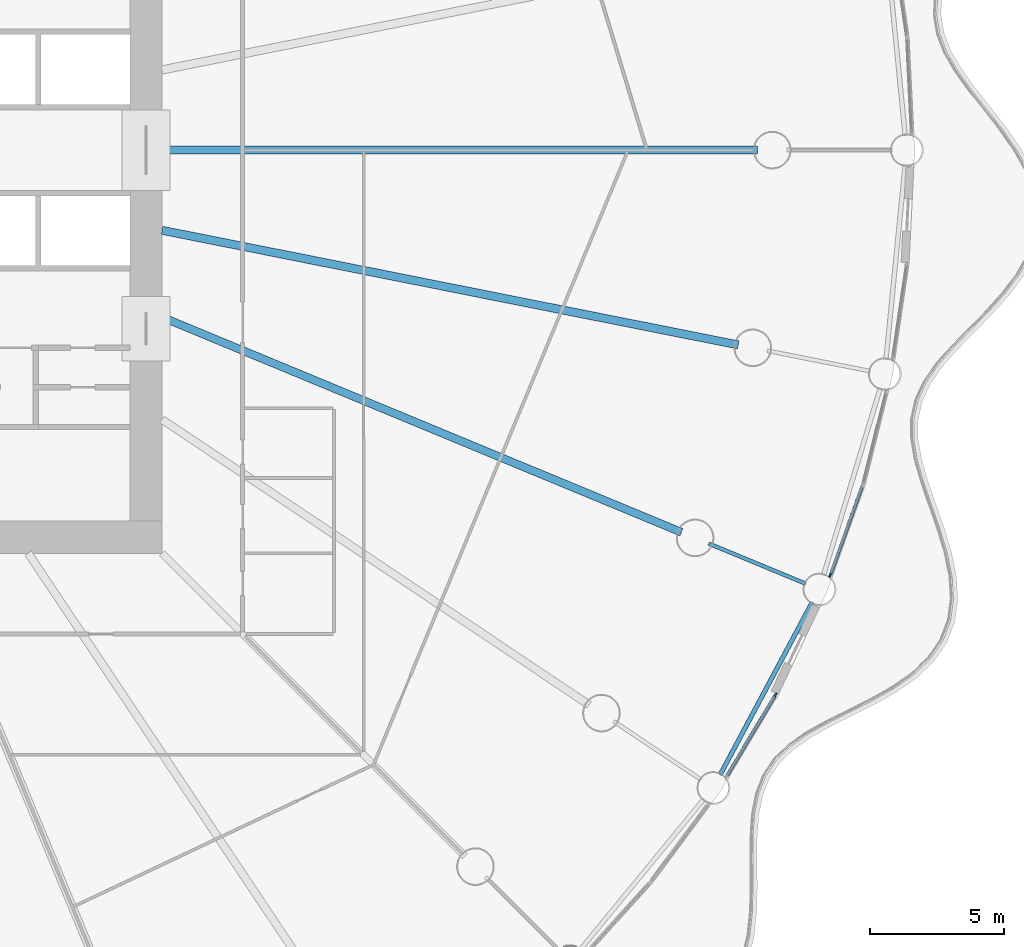
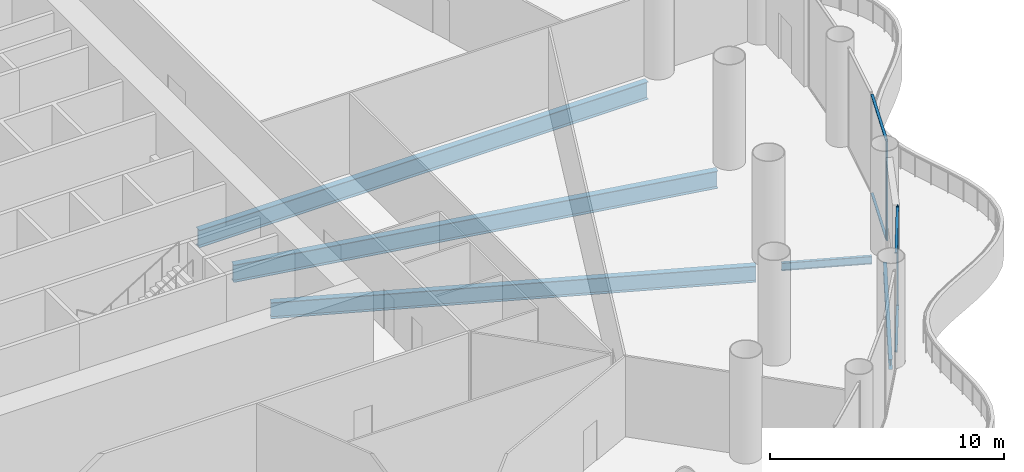
# One storey, part 12 of 37: 6 members, 5 beams, 2 elements without a shape of their own.
"""IFC4 building model written with IfcOpenShell, lengths in metres."""

from ifc_helpers import new_model, si_unit, direction, frame, origin, origin_2d, place, context, subcontext, project, spatial, rectangle, i_section, extrude, material, material_profile, profile_set, type_object, element, aggregate, save


model = new_model("IFC4")

# Units and contexts
model_context = context("Model", 3, precision=1e-05, world=origin(), true_north=direction((0.0, 1.0)))
body_context = subcontext(model_context, "Body", "Model", "MODEL_VIEW")
ifc_project = project(units=[si_unit("LENGTHUNIT", "METRE"), si_unit("AREAUNIT", "SQUARE_METRE"), si_unit("VOLUMEUNIT", "CUBIC_METRE"), si_unit("PLANEANGLEUNIT", "RADIAN"), si_unit("MASSUNIT", "GRAM", prefix="KILO")], contexts=[model_context])

# Site, building, storey
site_placement = place(None, origin())
site = spatial("IfcSite", under=ifc_project, at=site_placement, CompositionType="ELEMENT")
building_placement = place(site_placement, origin())
building = spatial("IfcBuilding", under=site, at=building_placement, Name="Corvane Civic Tower", CompositionType="ELEMENT")
storey_placement = place(building_placement, frame((0.0, 0.0, 11.5)))
storey = spatial("IfcBuildingStorey", under=building, at=storey_placement, Name="L02", CompositionType="ELEMENT", Elevation=11.5)

# Beams
ifc_material_1 = material(Name="Steel ASTM A992 Gr 50", Category="steel")
ifc_material_profile_1 = material_profile(ifc_material_1, i_section(OverallWidth=0.165771484375, OverallDepth=0.5283203125, WebThickness=0.009765625, FlangeThickness=0.013671875, at=origin_2d()), Name="W21X50")
ifc_profile_set_1 = profile_set([ifc_material_profile_1], Name="Steel ASTM A992 Gr 50")
beam_type_1 = type_object("IfcBeamType", Name="EDGE BEAM W21X50", PredefinedType="BEAM", material=ifc_profile_set_1)
beam_1_placement = place(storey_placement, frame((39.1904296875, -16.82568359375, -0.564208984375), z_axis=(-0.471412394598, -0.881912894916, 0.0), x_axis=(0.881912894916, -0.471412394598, 0.0)))
element("IfcBeam", 1, at=beam_1_placement, inside=storey, type_object=beam_type_1, Name="BM-L02-E11", PredefinedType="BEAM", context=body_context, shape_type="SweptSolid", body=[
    extrude(i_section(OverallWidth=0.165771484375, OverallDepth=0.5283203125, WebThickness=0.009765625, FlangeThickness=0.013671875, at=origin_2d()), origin(), (0.0, 0.0, 1.0), 7.270751953125),
])
ifc_material_2 = material(Name="Steel ASTM A992 Gr 50", Category="steel")
ifc_material_profile_2 = material_profile(ifc_material_2, i_section(OverallWidth=0.140380859375, OverallDepth=0.40380859375, WebThickness=0.007080078125, FlangeThickness=0.01123046875, at=origin_2d()), Name="W16X31")
ifc_profile_set_2 = profile_set([ifc_material_profile_2], Name="Steel ASTM A992 Gr 50")
beam_type_2 = type_object("IfcBeamType", Name="FLOOR GIRDER W16X31", PredefinedType="BEAM", material=ifc_profile_set_2)
beam_2_placement = place(storey_placement, frame((35.33837890625, -14.6376953125, -0.501953125), z_axis=(0.923878730261, -0.382685369162, 0.0), x_axis=(0.382685369162, 0.923878730261, 0.0)))
element("IfcBeam", 2, at=beam_2_placement, inside=storey, type_object=beam_type_2, Name="BM-L02-G11b", PredefinedType="BEAM", context=body_context, shape_type="SweptSolid", body=[
    extrude(i_section(OverallWidth=0.140380859375, OverallDepth=0.40380859375, WebThickness=0.007080078125, FlangeThickness=0.01123046875, at=origin_2d()), origin(), (0.0, 0.0, 1.0), 3.89990234375),
])
ifc_material_3 = material(Name="Steel ASTM A992 Gr 50", Category="steel")
ifc_material_profile_3 = material_profile(ifc_material_3, i_section(OverallWidth=0.2919921875, OverallDepth=0.845703125, WebThickness=0.015380859375, FlangeThickness=0.0244140625, at=origin_2d()), Name="W33X141")
ifc_profile_set_3 = profile_set([ifc_material_profile_3], Name="Steel ASTM A992 Gr 50")
beam_type_3 = type_object("IfcBeamType", Name="FLOOR GIRDER W33X141", PredefinedType="BEAM", material=ifc_profile_set_3)
beam_3_placement = place(storey_placement, frame((15.0, -6.213134765625, -0.722900390625), z_axis=(0.923875834355, -0.382692360381, 0.0), x_axis=(0.382692360381, 0.923875834355, 0.0)))
element("IfcBeam", 3, at=beam_3_placement, inside=storey, type_object=beam_type_3, Name="BM-L02-G11", PredefinedType="BEAM", context=body_context, shape_type="SweptSolid", body=[
    extrude(i_section(OverallWidth=0.2919921875, OverallDepth=0.845703125, WebThickness=0.015380859375, FlangeThickness=0.0244140625, at=origin_2d()), origin(), (0.0, 0.0, 1.0), 20.9140625),
])
ifc_material_4 = material(Name="Steel ASTM A992 Gr 50", Category="steel")
ifc_material_profile_4 = material_profile(ifc_material_4, i_section(OverallWidth=0.3046875, OverallDepth=0.911865234375, WebThickness=0.015869140625, FlangeThickness=0.02392578125, at=origin_2d()), Name="W36X150")
ifc_profile_set_4 = profile_set([ifc_material_profile_4], Name="Steel ASTM A992 Gr 50")
beam_type_4 = type_object("IfcBeamType", Name="FLOOR GIRDER W36X150", PredefinedType="BEAM", material=ifc_profile_set_4)
beam_4_placement = place(storey_placement, frame((15.0, 0.0, -0.755859375), z_axis=(1.0, 0.0, 0.0), x_axis=(0.0, 1.0, 0.0)))
element("IfcBeam", 4, at=beam_4_placement, inside=storey, type_object=beam_type_4, Name="BM-L02-G09", PredefinedType="BEAM", context=body_context, shape_type="SweptSolid", body=[
    extrude(i_section(OverallWidth=0.3046875, OverallDepth=0.911865234375, WebThickness=0.015869140625, FlangeThickness=0.02392578125, at=origin_2d()), origin(), (0.0, 0.0, 1.0), 22.14990234375),
])
beam_5_placement = place(storey_placement, frame((15.0, -2.983642578125, -0.755859375), z_axis=(0.980785499679, -0.195089219638, 0.0), x_axis=(0.195089219638, 0.980785499679, 0.0)))
element("IfcBeam", 5, at=beam_5_placement, inside=storey, type_object=beam_type_4, Name="BM-L02-G10", PredefinedType="BEAM", context=body_context, shape_type="SweptSolid", body=[
    extrude(i_section(OverallWidth=0.3046875, OverallDepth=0.911865234375, WebThickness=0.015869140625, FlangeThickness=0.02392578125, at=origin_2d()), origin(), (0.0, 0.0, 1.0), 21.856201171875),
])

# Curtain wall, member
ifc_material_5 = material(Name="Aluminium and glass", Category="aluminium")
curtain_wall_type = type_object("IfcCurtainWallType", Name="PODIUM-CW-P-RUN", PredefinedType="NOTDEFINED", material=ifc_material_5)
curtain_wall_1_placement = place(storey_placement, origin())
curtain_wall_1 = element("IfcCurtainWall", 6, at=curtain_wall_1_placement, inside=storey, type_object=curtain_wall_type, Name="PODI run L02-drum-10B", PredefinedType="NOTDEFINED")
ifc_material_6 = material(Name="Anodised aluminium bronze", Category="aluminium")
ifc_material_profile_5 = material_profile(ifc_material_6, rectangle(XDim=0.06005859375, YDim=0.159912109375, at=origin_2d()), Name="AL 60x160")
ifc_profile_set_5 = profile_set([ifc_material_profile_5], Name="Anodised aluminium bronze")
member_type_1 = type_object("IfcMemberType", Name="PODIUM-CWP-MULLION-60x160", PredefinedType="MULLION", material=ifc_profile_set_5)
member_1_placement = place(storey_placement, frame((39.861083984375, -15.81298828125, 0.0), z_axis=(0.0, 0.0, 1.0), x_axis=(0.941533802561, -0.336918534123, 0.0)))
member_1 = element("IfcMember", 7, at=member_1_placement, type_object=member_type_1, Name="CW-P mullion 2", PredefinedType="MULLION", context=body_context, shape_type="SweptSolid", body=[
    extrude(rectangle(XDim=0.06005859375, YDim=0.159912109375, at=origin_2d()), origin(), (0.0, 0.0, 1.0), 5.199951171875),
])

curtain_wall_2_placement = place(storey_placement, origin())
curtain_wall_2 = element("IfcCurtainWall", 8, at=curtain_wall_2_placement, inside=storey, type_object=curtain_wall_type, Name="PODI run L02-drum-11B", PredefinedType="NOTDEFINED")
member_2_placement = place(storey_placement, frame((37.819580078125, -20.2666015625, 0.0), z_axis=(0.0, 0.0, 1.0), x_axis=(0.857719609779, -0.514117759857, 0.0)))
member_2 = element("IfcMember", 9, at=member_2_placement, type_object=member_type_1, Name="CW-P mullion 1", PredefinedType="MULLION", context=body_context, shape_type="SweptSolid", body=[
    extrude(rectangle(XDim=0.06005859375, YDim=0.159912109375, at=origin_2d()), origin(), (0.0, 0.0, 1.0), 5.199951171875),
])

# Member
ifc_material_7 = material(Name="Anodised aluminium bronze", Category="aluminium")
ifc_material_profile_6 = material_profile(ifc_material_7, rectangle(XDim=0.1201171875, YDim=0.06005859375, at=origin_2d()), Name="AL 120x60")
ifc_profile_set_6 = profile_set([ifc_material_profile_6], Name="Anodised aluminium bronze")
member_type_2 = type_object("IfcMemberType", Name="PODIUM-CWP-TRANSOM-60x120", PredefinedType="USERDEFINED", material=ifc_profile_set_6)
member_3_placement = place(storey_placement, frame((41.036865234375, -12.527099609375, 0.030029296875), z_axis=(-0.336939787896, -0.941526196838, 0.0), x_axis=(0.941526196838, -0.336939787896, 0.0)))
member_3 = element("IfcMember", 10, at=member_3_placement, type_object=member_type_2, Name="CW-P transom 1.1", ObjectType="TRANSOM", PredefinedType="USERDEFINED", context=body_context, shape_type="SweptSolid", body=[
    extrude(rectangle(XDim=0.1201171875, YDim=0.06005859375, at=origin_2d()), origin(), (0.0, 0.0, 1.0), 3.4599609375),
])

member_4_placement = place(storey_placement, frame((41.036865234375, -12.527099609375, 5.169921875), z_axis=(-0.336939787896, -0.941526196838, 0.0), x_axis=(0.941526196838, -0.336939787896, 0.0)))
member_4 = element("IfcMember", 11, at=member_4_placement, type_object=member_type_2, Name="CW-P transom 1.2", ObjectType="TRANSOM", PredefinedType="USERDEFINED", context=body_context, shape_type="SweptSolid", body=[
    extrude(rectangle(XDim=0.1201171875, YDim=0.06005859375, at=origin_2d()), origin(), (0.0, 0.0, 1.0), 3.4599609375),
])

aggregate(curtain_wall_1, [member_1, member_3, member_4])

member_5_placement = place(storey_placement, frame((37.80419921875, -20.29248046875, 0.030029296875), z_axis=(-0.514111713099, -0.857723234181, 0.0), x_axis=(0.857723234181, -0.514111713099, 0.0)))
member_5 = element("IfcMember", 12, at=member_5_placement, type_object=member_type_2, Name="CW-P transom 1.1", ObjectType="TRANSOM", PredefinedType="USERDEFINED", context=body_context, shape_type="SweptSolid", body=[
    extrude(rectangle(XDim=0.1201171875, YDim=0.06005859375, at=origin_2d()), origin(), (0.0, 0.0, 1.0), 3.45947265625),
])

member_6_placement = place(storey_placement, frame((37.80419921875, -20.29248046875, 5.169921875), z_axis=(-0.514111713099, -0.857723234181, 0.0), x_axis=(0.857723234181, -0.514111713099, 0.0)))
member_6 = element("IfcMember", 13, at=member_6_placement, type_object=member_type_2, Name="CW-P transom 1.2", ObjectType="TRANSOM", PredefinedType="USERDEFINED", context=body_context, shape_type="SweptSolid", body=[
    extrude(rectangle(XDim=0.1201171875, YDim=0.06005859375, at=origin_2d()), origin(), (0.0, 0.0, 1.0), 3.45947265625),
])

aggregate(curtain_wall_2, [member_2, member_5, member_6])

save(model, "model.ifc")
